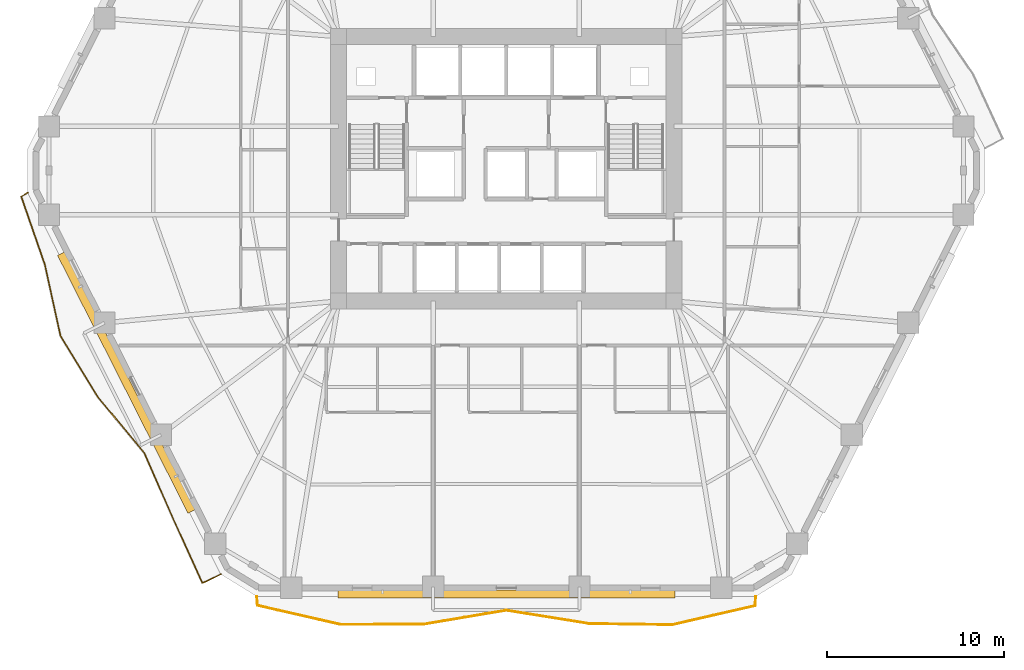
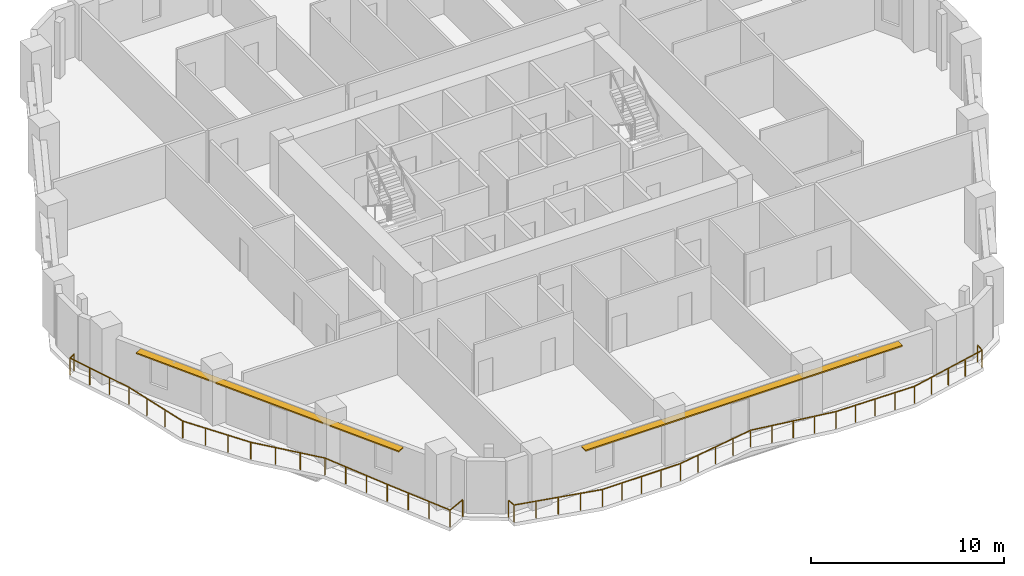
# One storey, part 10 of 13: 2 railings, 2 shading devices.
"""IFC4 building model written with IfcOpenShell, lengths in metres."""

from ifc_helpers import new_model, si_unit, direction, frame, origin, origin_2d, place, context, subcontext, project, spatial, rectangle, extrude, material, layer, layer_set, type_object, element, save


model = new_model("IFC4")

# Units and contexts
model_context = context("Model", 3, precision=1e-05, world=origin(), true_north=direction((0.0, 1.0)))
body_context = subcontext(model_context, "Body", "Model", "MODEL_VIEW")
ifc_project = project(units=[si_unit("LENGTHUNIT", "METRE"), si_unit("AREAUNIT", "SQUARE_METRE"), si_unit("VOLUMEUNIT", "CUBIC_METRE"), si_unit("PLANEANGLEUNIT", "RADIAN"), si_unit("MASSUNIT", "GRAM", prefix="KILO")], contexts=[model_context])

# Site, building, storey
site_placement = place(None, origin())
site = spatial("IfcSite", under=ifc_project, at=site_placement, CompositionType="ELEMENT")
building_placement = place(site_placement, origin())
building = spatial("IfcBuilding", under=site, at=building_placement, Name="Cinnabar Lancet Tower", CompositionType="ELEMENT")
storey_placement = place(building_placement, frame((0.0, 0.0, 63.949951171875)))
storey = spatial("IfcBuildingStorey", under=building, at=storey_placement, Name="L16", CompositionType="ELEMENT", Elevation=63.949951171875)

# Railings
ifc_material_1 = material(Name="Laminated safety glass and bronze stainless steel balustrade", Category="steel")
railing_type = type_object("IfcRailingType", Name="ENV-RLG-BAL-1100", PredefinedType="BALUSTRADE", material=ifc_material_1)
railing_1_placement = place(storey_placement, frame((18.343994140625, 1.800048828125, 0.0)))
element("IfcRailing", 1, at=railing_1_placement, inside=storey, type_object=railing_type, Name="L16 Face 1 Wave Balcony Balustrade", PredefinedType="BALUSTRADE", context=body_context, shape_type="SweptSolid", body=[
    extrude(rectangle(XDim=0.048095703125, YDim=0.048095703125, at=origin_2d()), frame((0.0, 0.0, 1.076171875), z_axis=(0.069083947487, -0.997610850081, 0.0), x_axis=(0.997610850081, 0.069083947487, 0.0)), (0.0, 0.0, 1.0), 0.50537109375),
    extrude(rectangle(XDim=0.048095703125, YDim=0.048095703125, at=origin_2d()), frame((0.034912109375, -0.504150390625, 1.076171875), z_axis=(0.974703442961, -0.223502121421, 0.0), x_axis=(0.223502121421, 0.974703442961, 0.0)), (0.0, 0.0, 1.0), 4.79541015625),
    extrude(rectangle(XDim=0.048095703125, YDim=0.048095703125, at=origin_2d()), frame((4.708984375, -1.575927734375, 1.076171875), z_axis=(0.999998603706, 0.001671103207, 0.0), x_axis=(-0.001671103207, 0.999998603706, 0.0)), (0.0, 0.0, 1.0), 4.675048828125),
    extrude(rectangle(XDim=0.048095703125, YDim=0.048095703125, at=origin_2d()), frame((9.384033203125, -1.568115234375, 1.076171875), z_axis=(0.986068914754, 0.16633729394, 0.0), x_axis=(-0.16633729394, 0.986068914754, 0.0)), (0.0, 0.0, 1.0), 4.73779296875),
    extrude(rectangle(XDim=0.048095703125, YDim=0.048095703125, at=origin_2d()), frame((14.055908203125, -0.780029296875, 1.076171875), z_axis=(0.987359367523, -0.158497568952, 0.0), x_axis=(0.158497568952, 0.987359367523, 0.0)), (0.0, 0.0, 1.0), 4.73193359375),
    extrude(rectangle(XDim=0.048095703125, YDim=0.048095703125, at=origin_2d()), frame((18.72802734375, -1.530029296875, 1.076171875), z_axis=(0.999909247605, -0.013472065689, 0.0), x_axis=(0.013472065689, 0.999909247605, 0.0)), (0.0, 0.0, 1.0), 4.675537109375),
    extrude(rectangle(XDim=0.048095703125, YDim=0.048095703125, at=origin_2d()), frame((23.403076171875, -1.593017578125, 1.076171875), z_axis=(0.974645412295, 0.22375504529, 0.0), x_axis=(-0.22375504529, 0.974645412295, 0.0)), (0.0, 0.0, 1.0), 4.79541015625),
    extrude(rectangle(XDim=0.048095703125, YDim=0.048095703125, at=origin_2d()), frame((28.076904296875, -0.52001953125, 1.076171875), z_axis=(0.067451664882, 0.997722543047, 0.0), x_axis=(-0.997722543047, 0.067451664882, 0.0)), (0.0, 0.0, 1.0), 0.521240234375),
    extrude(rectangle(XDim=0.0419921875, YDim=0.0419921875, at=origin_2d()), origin(), (0.0, 0.0, 1.0), 1.052001953125),
    extrude(rectangle(XDim=0.0419921875, YDim=0.0419921875, at=origin_2d()), frame((0.034912109375, -0.504150390625, 0.0)), (0.0, 0.0, 1.0), 1.052001953125),
    extrude(rectangle(XDim=0.0419921875, YDim=0.0419921875, at=origin_2d()), frame((1.203369140625, -0.77197265625, 0.0)), (0.0, 0.0, 1.0), 1.052001953125),
    extrude(rectangle(XDim=0.0419921875, YDim=0.0419921875, at=origin_2d()), frame((2.3720703125, -1.0400390625, 0.0)), (0.0, 0.0, 1.0), 1.052001953125),
    extrude(rectangle(XDim=0.0419921875, YDim=0.0419921875, at=origin_2d()), frame((3.54052734375, -1.30810546875, 0.0)), (0.0, 0.0, 1.0), 1.052001953125),
    extrude(rectangle(XDim=0.0419921875, YDim=0.0419921875, at=origin_2d()), frame((4.708984375, -1.575927734375, 0.0)), (0.0, 0.0, 1.0), 1.052001953125),
    extrude(rectangle(XDim=0.0419921875, YDim=0.0419921875, at=origin_2d()), frame((5.877685546875, -1.573974609375, 0.0)), (0.0, 0.0, 1.0), 1.052001953125),
    extrude(rectangle(XDim=0.0419921875, YDim=0.0419921875, at=origin_2d()), frame((7.04638671875, -1.572021484375, 0.0)), (0.0, 0.0, 1.0), 1.052001953125),
    extrude(rectangle(XDim=0.0419921875, YDim=0.0419921875, at=origin_2d()), frame((8.21533203125, -1.570068359375, 0.0)), (0.0, 0.0, 1.0), 1.052001953125),
    extrude(rectangle(XDim=0.0419921875, YDim=0.0419921875, at=origin_2d()), frame((9.384033203125, -1.568115234375, 0.0)), (0.0, 0.0, 1.0), 1.052001953125),
    extrude(rectangle(XDim=0.0419921875, YDim=0.0419921875, at=origin_2d()), frame((10.552001953125, -1.37109375, 0.0)), (0.0, 0.0, 1.0), 1.052001953125),
    extrude(rectangle(XDim=0.0419921875, YDim=0.0419921875, at=origin_2d()), frame((11.719970703125, -1.174072265625, 0.0)), (0.0, 0.0, 1.0), 1.052001953125),
    extrude(rectangle(XDim=0.0419921875, YDim=0.0419921875, at=origin_2d()), frame((12.887939453125, -0.97705078125, 0.0)), (0.0, 0.0, 1.0), 1.052001953125),
    extrude(rectangle(XDim=0.0419921875, YDim=0.0419921875, at=origin_2d()), frame((14.055908203125, -0.780029296875, 0.0)), (0.0, 0.0, 1.0), 1.052001953125),
    extrude(rectangle(XDim=0.0419921875, YDim=0.0419921875, at=origin_2d()), frame((15.223876953125, -0.967529296875, 0.0)), (0.0, 0.0, 1.0), 1.052001953125),
    extrude(rectangle(XDim=0.0419921875, YDim=0.0419921875, at=origin_2d()), frame((16.39208984375, -1.155029296875, 0.0)), (0.0, 0.0, 1.0), 1.052001953125),
    extrude(rectangle(XDim=0.0419921875, YDim=0.0419921875, at=origin_2d()), frame((17.56005859375, -1.342529296875, 0.0)), (0.0, 0.0, 1.0), 1.052001953125),
    extrude(rectangle(XDim=0.0419921875, YDim=0.0419921875, at=origin_2d()), frame((18.72802734375, -1.530029296875, 0.0)), (0.0, 0.0, 1.0), 1.052001953125),
    extrude(rectangle(XDim=0.0419921875, YDim=0.0419921875, at=origin_2d()), frame((19.896728515625, -1.5458984375, 0.0)), (0.0, 0.0, 1.0), 1.052001953125),
    extrude(rectangle(XDim=0.0419921875, YDim=0.0419921875, at=origin_2d()), frame((21.0654296875, -1.5615234375, 0.0)), (0.0, 0.0, 1.0), 1.052001953125),
    extrude(rectangle(XDim=0.0419921875, YDim=0.0419921875, at=origin_2d()), frame((22.234375, -1.5771484375, 0.0)), (0.0, 0.0, 1.0), 1.052001953125),
    extrude(rectangle(XDim=0.0419921875, YDim=0.0419921875, at=origin_2d()), frame((23.403076171875, -1.593017578125, 0.0)), (0.0, 0.0, 1.0), 1.052001953125),
    extrude(rectangle(XDim=0.0419921875, YDim=0.0419921875, at=origin_2d()), frame((24.571533203125, -1.32470703125, 0.0)), (0.0, 0.0, 1.0), 1.052001953125),
    extrude(rectangle(XDim=0.0419921875, YDim=0.0419921875, at=origin_2d()), frame((25.739990234375, -1.056640625, 0.0)), (0.0, 0.0, 1.0), 1.052001953125),
    extrude(rectangle(XDim=0.0419921875, YDim=0.0419921875, at=origin_2d()), frame((26.908447265625, -0.788330078125, 0.0)), (0.0, 0.0, 1.0), 1.052001953125),
    extrude(rectangle(XDim=0.0419921875, YDim=0.0419921875, at=origin_2d()), frame((28.076904296875, -0.52001953125, 0.0)), (0.0, 0.0, 1.0), 1.052001953125),
    extrude(rectangle(XDim=0.0419921875, YDim=0.0419921875, at=origin_2d()), frame((28.112060546875, 0.0, 0.0)), (0.0, 0.0, 1.0), 1.052001953125),
])
railing_2_placement = place(storey_placement, frame((5.431884765625, 24.551025390625, 0.0)))
element("IfcRailing", 2, at=railing_2_placement, inside=storey, type_object=railing_type, Name="L16 Face 6 Wave Balcony Balustrade", PredefinedType="BALUSTRADE", context=body_context, shape_type="SweptSolid", body=[
    extrude(rectangle(XDim=0.048095703125, YDim=0.048095703125, at=origin_2d()), frame((0.0, 0.0, 1.076171875), z_axis=(-0.860788483024, -0.508962854728, 0.0), x_axis=(0.508962854728, -0.860788483024, 0.0)), (0.0, 0.0, 1.0), 0.422607421875),
    extrude(rectangle(XDim=0.048095703125, YDim=0.048095703125, at=origin_2d()), frame((-0.36376953125, -0.215087890625, 1.076171875), z_axis=(0.328138900964, -0.944629483805, 0.0), x_axis=(0.944629483805, 0.328138900964, 0.0)), (0.0, 0.0, 1.0), 4.043701171875),
    extrude(rectangle(XDim=0.048095703125, YDim=0.048095703125, at=origin_2d()), frame((0.963134765625, -4.034912109375, 1.076171875), z_axis=(0.214661361609, -0.976688537781, 0.0), x_axis=(0.976688537781, 0.214661361609, 0.0)), (0.0, 0.0, 1.0), 4.136474609375),
    extrude(rectangle(XDim=0.048095703125, YDim=0.048095703125, at=origin_2d()), frame((1.85107421875, -8.074951171875, 1.076171875), z_axis=(0.522150252098, -0.852853512764, 0.0), x_axis=(0.852853512764, 0.522150252098, 0.0)), (0.0, 0.0, 1.0), 4.018310546875),
    extrude(rectangle(XDim=0.048095703125, YDim=0.048095703125, at=origin_2d()), frame((3.94921875, -11.501953125, 1.076171875), z_axis=(0.6384174542, -0.76969029757, 0.0), x_axis=(0.76969029757, 0.6384174542, 0.0)), (0.0, 0.0, 1.0), 4.1083984375),
    extrude(rectangle(XDim=0.048095703125, YDim=0.048095703125, at=origin_2d()), frame((6.572021484375, -14.6640625, 1.076171875), z_axis=(0.401498561941, -0.915859653418, 0.0), x_axis=(0.915859653418, 0.401498561941, 0.0)), (0.0, 0.0, 1.0), 4.0126953125),
    extrude(rectangle(XDim=0.048095703125, YDim=0.048095703125, at=origin_2d()), frame((8.18310546875, -18.339111328125, 1.076171875), z_axis=(0.413413275214, -0.910543499168, 0.0), x_axis=(0.910543499168, 0.413413275214, 0.0)), (0.0, 0.0, 1.0), 4.0126953125),
    extrude(rectangle(XDim=0.048095703125, YDim=0.048095703125, at=origin_2d()), frame((9.842041015625, -21.992919921875, 1.076171875), z_axis=(0.90399309169, 0.427547061944, 0.0), x_axis=(-0.427547061944, 0.90399309169, 0.0)), (0.0, 0.0, 1.0), 1.1484375),
    extrude(rectangle(XDim=0.0419921875, YDim=0.0419921875, at=origin_2d()), origin(), (0.0, 0.0, 1.0), 1.052001953125),
    extrude(rectangle(XDim=0.0419921875, YDim=0.0419921875, at=origin_2d()), frame((-0.36376953125, -0.215087890625, 0.0)), (0.0, 0.0, 1.0), 1.052001953125),
    extrude(rectangle(XDim=0.0419921875, YDim=0.0419921875, at=origin_2d()), frame((0.07861328125, -1.48828125, 0.0)), (0.0, 0.0, 1.0), 1.052001953125),
    extrude(rectangle(XDim=0.0419921875, YDim=0.0419921875, at=origin_2d()), frame((0.520751953125, -2.76171875, 0.0)), (0.0, 0.0, 1.0), 1.052001953125),
    extrude(rectangle(XDim=0.0419921875, YDim=0.0419921875, at=origin_2d()), frame((0.963134765625, -4.034912109375, 0.0)), (0.0, 0.0, 1.0), 1.052001953125),
    extrude(rectangle(XDim=0.0419921875, YDim=0.0419921875, at=origin_2d()), frame((1.259033203125, -5.381591796875, 0.0)), (0.0, 0.0, 1.0), 1.052001953125),
    extrude(rectangle(XDim=0.0419921875, YDim=0.0419921875, at=origin_2d()), frame((1.55517578125, -6.728271484375, 0.0)), (0.0, 0.0, 1.0), 1.052001953125),
    extrude(rectangle(XDim=0.0419921875, YDim=0.0419921875, at=origin_2d()), frame((1.85107421875, -8.074951171875, 0.0)), (0.0, 0.0, 1.0), 1.052001953125),
    extrude(rectangle(XDim=0.0419921875, YDim=0.0419921875, at=origin_2d()), frame((2.550537109375, -9.21728515625, 0.0)), (0.0, 0.0, 1.0), 1.052001953125),
    extrude(rectangle(XDim=0.0419921875, YDim=0.0419921875, at=origin_2d()), frame((3.249755859375, -10.359619140625, 0.0)), (0.0, 0.0, 1.0), 1.052001953125),
    extrude(rectangle(XDim=0.0419921875, YDim=0.0419921875, at=origin_2d()), frame((3.94921875, -11.501953125, 0.0)), (0.0, 0.0, 1.0), 1.052001953125),
    extrude(rectangle(XDim=0.0419921875, YDim=0.0419921875, at=origin_2d()), frame((4.823486328125, -12.555908203125, 0.0)), (0.0, 0.0, 1.0), 1.052001953125),
    extrude(rectangle(XDim=0.0419921875, YDim=0.0419921875, at=origin_2d()), frame((5.69775390625, -13.610107421875, 0.0)), (0.0, 0.0, 1.0), 1.052001953125),
    extrude(rectangle(XDim=0.0419921875, YDim=0.0419921875, at=origin_2d()), frame((6.572021484375, -14.6640625, 0.0)), (0.0, 0.0, 1.0), 1.052001953125),
    extrude(rectangle(XDim=0.0419921875, YDim=0.0419921875, at=origin_2d()), frame((7.109130859375, -15.88916015625, 0.0)), (0.0, 0.0, 1.0), 1.052001953125),
    extrude(rectangle(XDim=0.0419921875, YDim=0.0419921875, at=origin_2d()), frame((7.64599609375, -17.114013671875, 0.0)), (0.0, 0.0, 1.0), 1.052001953125),
    extrude(rectangle(XDim=0.0419921875, YDim=0.0419921875, at=origin_2d()), frame((8.18310546875, -18.339111328125, 0.0)), (0.0, 0.0, 1.0), 1.052001953125),
    extrude(rectangle(XDim=0.0419921875, YDim=0.0419921875, at=origin_2d()), frame((8.736083984375, -19.55712890625, 0.0)), (0.0, 0.0, 1.0), 1.052001953125),
    extrude(rectangle(XDim=0.0419921875, YDim=0.0419921875, at=origin_2d()), frame((9.2890625, -20.77490234375, 0.0)), (0.0, 0.0, 1.0), 1.052001953125),
    extrude(rectangle(XDim=0.0419921875, YDim=0.0419921875, at=origin_2d()), frame((9.842041015625, -21.992919921875, 0.0)), (0.0, 0.0, 1.0), 1.052001953125),
    extrude(rectangle(XDim=0.0419921875, YDim=0.0419921875, at=origin_2d()), frame((10.880126953125, -21.501953125, 0.0)), (0.0, 0.0, 1.0), 1.052001953125),
])

# Shading devices
ifc_material_2 = material(Name="Pale limestone architectural aluminium sunshade", Category="masonry")
ifc_layer = layer(ifc_material_2, 0.080078125)
ifc_layer_set = layer_set([ifc_layer], Name="Pale limestone architectural aluminium sunshade")
shading_device_type = type_object("IfcShadingDeviceType", Name="ENV-SHD-LVR-450", PredefinedType="JALOUSIE", material=ifc_layer_set)
shading_device_1_placement = place(storey_placement, frame((32.39990234375, 1.929931640625, 2.639892578125), z_axis=(0.0, 0.0, 1.0), x_axis=(1.0, 0.0, 0.0)))
element("IfcShadingDevice", 3, at=shading_device_1_placement, inside=storey, type_object=shading_device_type, Name="L16 Face 1 Horizontal Sunshade Canopy", PredefinedType="JALOUSIE", context=body_context, shape_type="SweptSolid", body=[
    extrude(rectangle(XDim=18.993896484375, YDim=0.449951171875, at=origin_2d()), origin(), (0.0, 0.0, 1.0), 0.080078125),
])
shading_device_2_placement = place(storey_placement, frame((10.989990234375, 13.85595703125, 2.639892578125), z_axis=(0.0, 0.0, 1.0), x_axis=(0.451500573218, -0.892270829056, 0.0)))
element("IfcShadingDevice", 4, at=shading_device_2_placement, inside=storey, type_object=shading_device_type, Name="L16 Face 6 Horizontal Sunshade Canopy", PredefinedType="JALOUSIE", context=body_context, shape_type="SweptSolid", body=[
    extrude(rectangle(XDim=16.279052734375, YDim=0.449951171875, at=origin_2d()), origin(), (0.0, 0.0, 1.0), 0.080078125),
])

save(model, "model.ifc")
